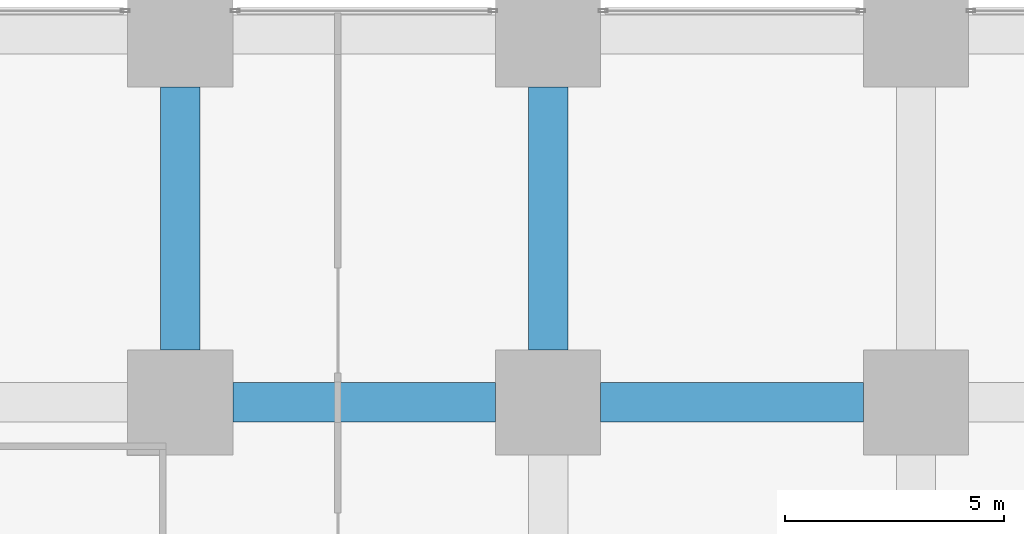
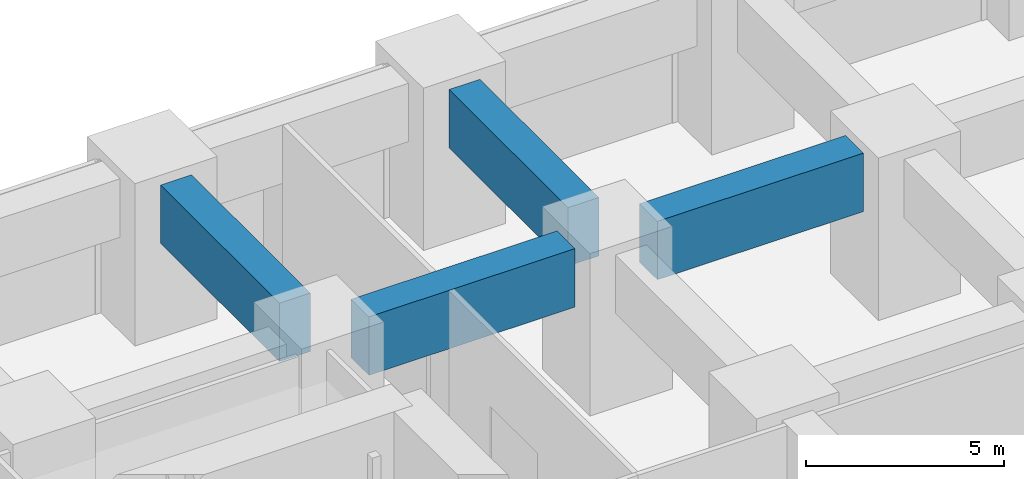
# One storey, part 28 of 49: 4 beams.
"""IFC4 building model written with IfcOpenShell, lengths in metres."""

from ifc_helpers import new_model, si_unit, direction, frame, origin, origin_2d, place, context, subcontext, project, spatial, rectangle, extrude, material, material_profile, profile_set, type_object, element, save


model = new_model("IFC4")

# Units and contexts
model_context = context("Model", 3, precision=1e-05, world=origin(), true_north=direction((0.0, 1.0)))
body_context = subcontext(model_context, "Body", "Model", "MODEL_VIEW")
ifc_project = project(units=[si_unit("LENGTHUNIT", "METRE"), si_unit("AREAUNIT", "SQUARE_METRE"), si_unit("VOLUMEUNIT", "CUBIC_METRE"), si_unit("PLANEANGLEUNIT", "RADIAN"), si_unit("MASSUNIT", "GRAM", prefix="KILO")], contexts=[model_context])

# Site, building, storey
site_placement = place(None, origin())
site = spatial("IfcSite", under=ifc_project, at=site_placement, CompositionType="ELEMENT")
building_placement = place(site_placement, origin())
building = spatial("IfcBuilding", under=site, at=building_placement, Name="Rekha Terrace Tower", CompositionType="ELEMENT")
storey_placement = place(building_placement, frame((0.0, 0.0, 5.39990234375)))
storey = spatial("IfcBuildingStorey", under=building, at=storey_placement, Name="L01", CompositionType="ELEMENT", Elevation=5.39990234375)

# Beams
ifc_material = material(Name="Concrete M60", Category="concrete")
ifc_material_profile = material_profile(ifc_material, rectangle(XDim=0.89990234375, YDim=1.800048828125, at=origin_2d()), Name="RC 900x1800")
ifc_profile_set = profile_set([ifc_material_profile], Name="Concrete M60")
beam_type = type_object("IfcBeamType", Name="G1 900x1800 podium floor beam", PredefinedType="BEAM", material=ifc_profile_set)
for number, where, z_axis, x_axis, name in (
    (1, (51.60009765625, 50.39990234375, 3.800048828125), (1.0, 0.0, 0.0), (0.0, 1.0, 0.0), "Beam G1 7G-8G under L02"),
    (2, (50.39990234375, 51.60009765625, 3.800048828125), (0.0, 1.0, 0.0), (-1.0, 0.0, 0.0), "Beam G1 7G-7H under L02"),
    (3, (60.0, 50.39990234375, 3.800048828125), (1.0, 0.0, 0.0), (0.0, 1.0, 0.0), "Beam G1 8G-9G under L02"),
    (4, (58.800048828125, 51.60009765625, 3.800048828125), (0.0, 1.0, 0.0), (-1.0, 0.0, 0.0), "Beam G1 8G-8H under L02"),
):
    element("IfcBeam", number, at=place(storey_placement, frame(where, z_axis=z_axis, x_axis=x_axis)), inside=storey, type_object=beam_type, Name=name, PredefinedType="BEAM", context=body_context, shape_type="SweptSolid", body=[
        extrude(rectangle(XDim=0.89990234375, YDim=1.800048828125, at=origin_2d()), origin(), (0.0, 0.0, 1.0), 6.0),
    ])

save(model, "model.ifc")
